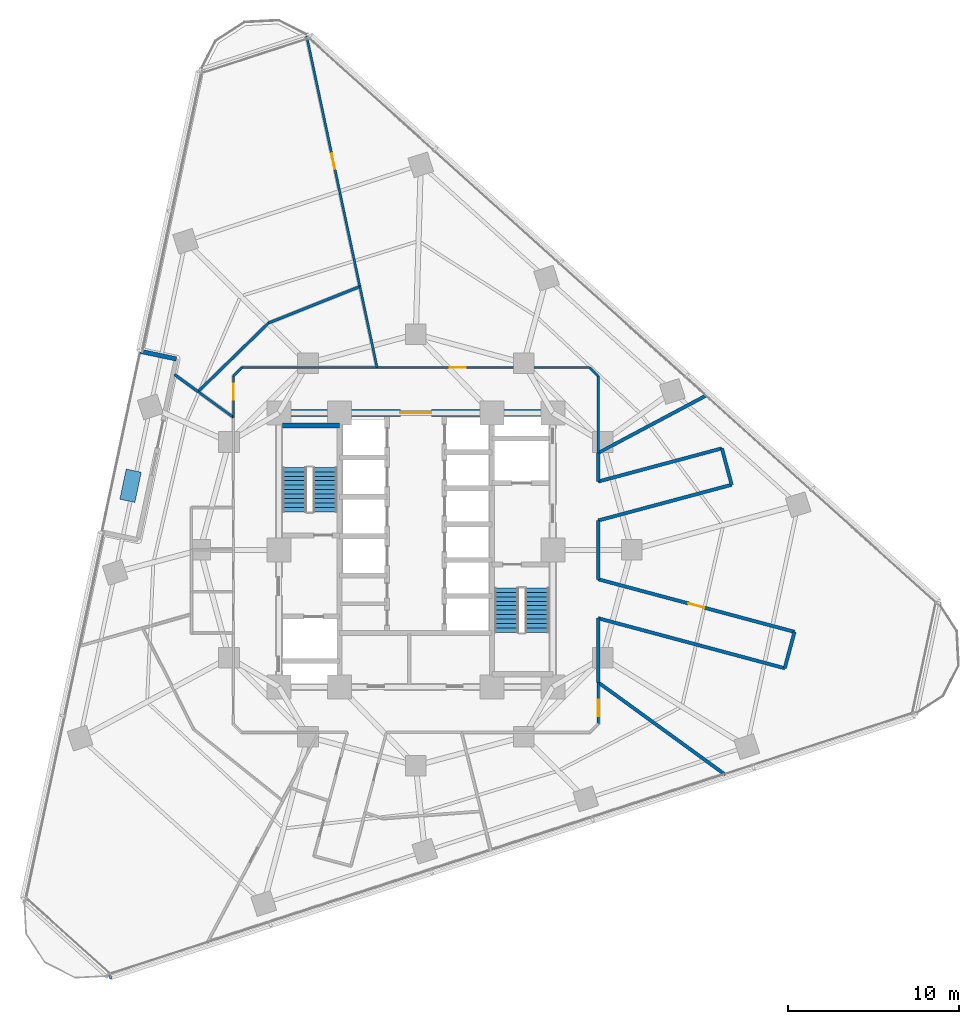
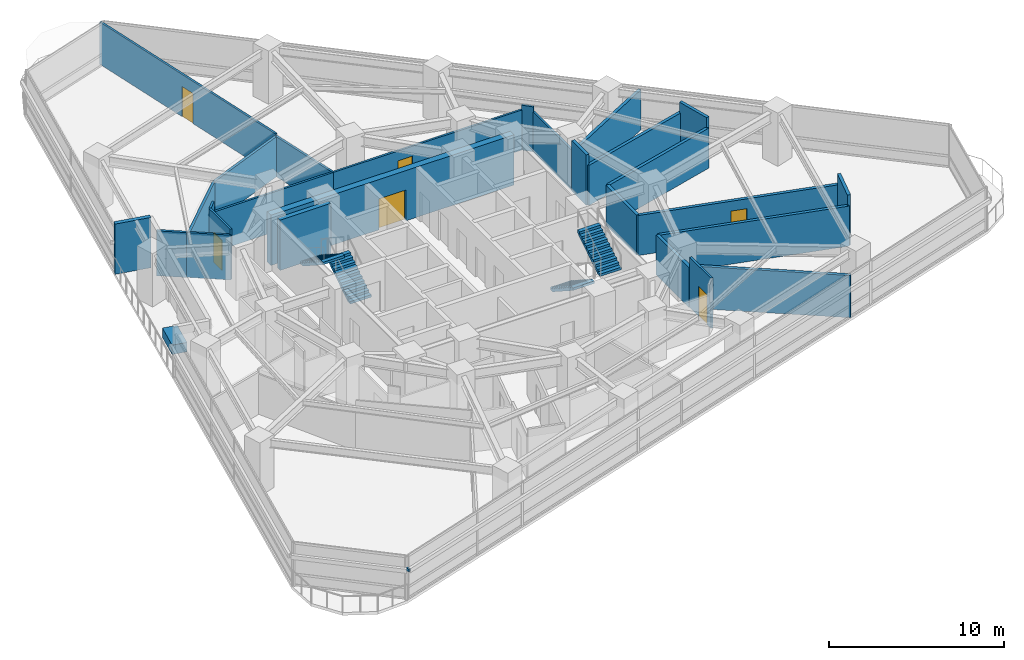
# One storey, part 9 of 14: 27 walls, 6 doors, 4 stair flights, 2 discrete accessories, 6 openings, 2 elements without a shape of their own.
"""IFC4 building model written with IfcOpenShell, lengths in metres."""

from ifc_helpers import new_model, si_unit, direction, frame, frame_2d, origin, origin_2d, place, context, subcontext, project, spatial, polyline, rectangle, outline, extrude, material, layer, layer_set, type_object, element, fill, aggregate, save


model = new_model("IFC4")

# Units and contexts
model_context = context("Model", 3, precision=1e-05, world=origin(), true_north=direction((0.0, 1.0)))
body_context = subcontext(model_context, "Body", "Model", "MODEL_VIEW")
ifc_project = project(units=[si_unit("LENGTHUNIT", "METRE"), si_unit("AREAUNIT", "SQUARE_METRE"), si_unit("VOLUMEUNIT", "CUBIC_METRE"), si_unit("PLANEANGLEUNIT", "RADIAN"), si_unit("MASSUNIT", "GRAM", prefix="KILO")], contexts=[model_context])

# Site, building, storey
site_placement = place(None, origin())
site = spatial("IfcSite", under=ifc_project, at=site_placement, CompositionType="ELEMENT")
building_placement = place(site_placement, origin())
building = spatial("IfcBuilding", under=site, at=building_placement, Name="Terralouvre Media Tower", CompositionType="ELEMENT")
storey_placement = place(building_placement, frame((0.0, 0.0, 97.699951171875)))
storey = spatial("IfcBuildingStorey", under=building, at=storey_placement, Name="L24", CompositionType="ELEMENT", Elevation=97.699951171875)

# Wall
ifc_material_1 = material(Name="Concrete C50/60", Category="concrete")
ifc_layer_1 = layer(ifc_material_1, 0.300048828125, Name="Core Internal Shaft Wall CW-300")
ifc_layer_set_1 = layer_set([ifc_layer_1], Name="Concrete C50/60")
wall_type_1 = type_object("IfcWallType", Name="Core Internal Shaft Wall CW-300", PredefinedType="SHEAR", material=ifc_layer_set_1)
wall_1_placement = place(storey_placement, frame((-7.7900390625, 7.260009765625, 0.0), z_axis=(0.0, 0.0, 1.0), x_axis=(1.0, 0.0, 0.0)))
element("IfcWall", 1, at=wall_1_placement, inside=storey, type_object=wall_type_1, Name="L24 Core Shaft Wall ST1F", PredefinedType="SHEAR", context=body_context, shape_type="SweptSolid", body=[
    extrude(rectangle(XDim=3.340087890625, YDim=0.300048828125, at=frame_2d((1.669921875, 0.0))), origin(), (0.0, 0.0, 1.0), 3.5),
])

# Wall, opening, door
ifc_material_2 = material(Name="Concrete C60/75", Category="concrete")
ifc_layer_2 = layer(ifc_material_2, 0.419921875, Name="Core Reinforced Concrete Shear Wall CW-420")
ifc_layer_set_2 = layer_set([ifc_layer_2], Name="Concrete C60/75")
wall_type_2 = type_object("IfcWallType", Name="Core Reinforced Concrete Shear Wall CW-420", PredefinedType="SHEAR", material=ifc_layer_set_2)
wall_2_placement = place(storey_placement, frame((-8.0, 8.0, 0.0), z_axis=(0.0, 0.0, 1.0), x_axis=(1.0, 0.0, 0.0)))
wall_2 = element("IfcWall", 2, at=wall_2_placement, inside=storey, type_object=wall_type_2, Name="L24 N Core Shear Wall", PredefinedType="SHEAR", context=body_context, shape_type="SweptSolid", body=[
    extrude(rectangle(XDim=16.0, YDim=0.419921875, at=frame_2d((8.0, 0.0))), origin(), (0.0, 0.0, 1.0), 3.5),
])
opening_1_placement = place(wall_2_placement, frame((7.10009765625, 0.0, 0.0)))
opening_1 = element("IfcOpeningElement", 3, at=opening_1_placement, cuts=wall_2, Name="Opening FD-03", PredefinedType="OPENING", context=body_context, shape_type="SweptSolid", body=[
    extrude(rectangle(XDim=1.800048828125, YDim=2.14990234375, at=frame_2d((0.89990234375, 1.074951171875))), frame((0.0, 0.219970703125, 0.0), z_axis=(0.0, -1.0, 0.0), x_axis=(1.0, 0.0, 0.0)), (0.0, 0.0, 1.0), 0.43994140625),
])
ifc_material_3 = material(Name="Galvanised steel fire-resisting leaf", Category="steel")
door_type_1 = type_object("IfcDoorType", Name="Corridor Smoke-Control Double Door FD-03", OperationType="DOUBLE_DOOR_SINGLE_SWING", PredefinedType="DOOR", material=ifc_material_3)
door_1_placement = place(opening_1_placement, origin())
door_1 = element("IfcDoor", 4, at=door_1_placement, inside=storey, type_object=door_type_1, Name="L24 Central Lift Lobby Portal Door", OperationType="DOUBLE_DOOR_SINGLE_SWING", OverallHeight=2.14990234375, OverallWidth=1.800048828125, PredefinedType="DOOR", context=body_context, shape_type="SweptSolid", body=[
    extrude(rectangle(XDim=1.800048828125, YDim=2.14990234375, at=frame_2d((0.89990234375, 1.074951171875))), frame((0.0, 0.02490234375, 0.0), z_axis=(0.0, -1.0, 0.0), x_axis=(1.0, 0.0, 0.0)), (0.0, 0.0, 1.0), 0.050048828125),
])
fill(opening_1, door_1)

# Walls
ifc_material_4 = material(Name="Fire-rated gypsum board drywall partition")
ifc_layer_3 = layer(ifc_material_4, 0.199951171875, Name="Fire-Rated Shaft and Lobby Partition FW-200")
ifc_layer_set_3 = layer_set([ifc_layer_3], Name="Fire-rated gypsum board drywall partition")
wall_type_3 = type_object("IfcWallType", Name="Fire-Rated Shaft and Lobby Partition FW-200", PredefinedType="SOLIDWALL", material=ifc_layer_set_3)
wall_3_placement = place(storey_placement, frame((10.64990234375, -7.738037109375, 0.0), z_axis=(0.0, 0.0, 1.0), x_axis=(0.0, 1.0, 0.0)))
element("IfcWall", 5, at=wall_3_placement, inside=storey, type_object=wall_type_3, Name="L24 Interior Partition 001", PredefinedType="SOLIDWALL", context=body_context, shape_type="SweptSolid", body=[
    extrude(rectangle(XDim=3.74609375, YDim=0.199951171875, at=frame_2d((1.873046875, 0.0))), origin(), (0.0, 0.0, 1.0), 2.78515625),
])
wall_4_placement = place(storey_placement, frame((10.64990234375, -3.991943359375, 0.0), z_axis=(0.0, 0.0, 1.0), x_axis=(0.965906888357, -0.258889712088, 0.0)))
element("IfcWall", 6, at=wall_4_placement, inside=storey, type_object=wall_type_3, Name="L24 Interior Partition 002", PredefinedType="SOLIDWALL", context=body_context, shape_type="SweptSolid", body=[
    extrude(rectangle(XDim=11.279541015625, YDim=0.199951171875, at=frame_2d((5.6396484375, 0.0))), origin(), (0.0, 0.0, 1.0), 2.78515625),
])
wall_5_placement = place(storey_placement, frame((21.544921875, -6.912109375, 0.0), z_axis=(0.0, 0.0, 1.0), x_axis=(0.259105843213, 0.965848933329, 0.0)))
element("IfcWall", 7, at=wall_5_placement, inside=storey, type_object=wall_type_3, Name="L24 Interior Partition 003", PredefinedType="SOLIDWALL", context=body_context, shape_type="SweptSolid", body=[
    extrude(rectangle(XDim=2.2001953125, YDim=0.199951171875, at=frame_2d((1.10009765625, 0.0))), origin(), (0.0, 0.0, 1.0), 3.5),
])

# Wall, opening, door
wall_6_placement = place(storey_placement, frame((22.114990234375, -4.787109375, 0.0), z_axis=(0.0, 0.0, 1.0), x_axis=(-0.965926659449, 0.258815935688, 0.0)))
wall_6 = element("IfcWall", 8, at=wall_6_placement, inside=storey, type_object=wall_type_3, Name="L24 Interior Partition 004", PredefinedType="SOLIDWALL", context=body_context, shape_type="SweptSolid", body=[
    extrude(rectangle(XDim=11.86962890625, YDim=0.199951171875, at=frame_2d((5.934814453125, 0.0))), origin(), (0.0, 0.0, 1.0), 2.78515625),
])
opening_2_placement = place(wall_6_placement, frame((5.459716796875, 0.0, 0.0)))
opening_2 = element("IfcOpeningElement", 9, at=opening_2_placement, cuts=wall_6, Name="Opening FD-02-95X210", PredefinedType="OPENING", context=body_context, shape_type="SweptSolid", body=[
    extrude(rectangle(XDim=0.949951171875, YDim=2.10009765625, at=frame_2d((0.47509765625, 1.050048828125))), frame((0.0, 0.10986328125, 0.0), z_axis=(0.0, -1.0, 0.0), x_axis=(1.0, 0.0, 0.0)), (0.0, 0.0, 1.0), 0.219970703125),
])
ifc_material_5 = material(Name="Galvanised steel fire-resisting leaf", Category="steel")
door_type_2 = type_object("IfcDoorType", Name="Plant and Riser Fire Door FD-02 (950x2100)", OperationType="NOTDEFINED", PredefinedType="DOOR", material=ifc_material_5)
door_2_placement = place(opening_2_placement, origin())
door_2 = element("IfcDoor", 10, at=door_2_placement, inside=storey, type_object=door_type_2, Name="L24 SAN High-Speed Server Room 1 Door", OperationType="SINGLE_SWING_RIGHT", OverallHeight=2.10009765625, OverallWidth=0.949951171875, PredefinedType="DOOR", context=body_context, shape_type="SweptSolid", body=[
    extrude(rectangle(XDim=0.949951171875, YDim=2.10009765625, at=frame_2d((0.47509765625, 1.050048828125))), frame((0.0, 0.02490234375, 0.0), z_axis=(0.0, -1.0, 0.0), x_axis=(1.0, 0.0, 0.0)), (0.0, 0.0, 1.0), 0.050048828125),
])
fill(opening_2, door_2)

# Walls
wall_7_placement = place(storey_placement, frame((10.64990234375, -1.715087890625, 0.0), z_axis=(0.0, 0.0, 1.0), x_axis=(0.0, 1.0, 0.0)))
element("IfcWall", 11, at=wall_7_placement, inside=storey, type_object=wall_type_3, Name="L24 Interior Partition 005", PredefinedType="SOLIDWALL", context=body_context, shape_type="SweptSolid", body=[
    extrude(rectangle(XDim=3.43017578125, YDim=0.199951171875, at=frame_2d((1.715087890625, 0.0))), origin(), (0.0, 0.0, 1.0), 2.78515625),
])
wall_8_placement = place(storey_placement, frame((10.64990234375, 1.715087890625, 0.0), z_axis=(0.0, 0.0, 1.0), x_axis=(0.965943055062, 0.258754737882, 0.0)))
element("IfcWall", 12, at=wall_8_placement, inside=storey, type_object=wall_type_3, Name="L24 Interior Partition 006", PredefinedType="SOLIDWALL", context=body_context, shape_type="SweptSolid", body=[
    extrude(rectangle(XDim=8.069091796875, YDim=0.199951171875, at=frame_2d((4.03466796875, 0.0))), origin(), (0.0, 0.0, 1.0), 2.78515625),
])
wall_9_placement = place(storey_placement, frame((18.444091796875, 3.802978515625, 0.0), z_axis=(0.0, 0.0, 1.0), x_axis=(-0.258691706618, 0.965959937537, 0.0)))
element("IfcWall", 13, at=wall_9_placement, inside=storey, type_object=wall_type_3, Name="L24 Interior Partition 007", PredefinedType="SOLIDWALL", context=body_context, shape_type="SweptSolid", body=[
    extrude(rectangle(XDim=2.199951171875, YDim=0.199951171875, at=frame_2d((1.10009765625, 0.0))), origin(), (0.0, 0.0, 1.0), 3.5),
])
wall_10_placement = place(storey_placement, frame((17.875, 5.927978515625, 0.0), z_axis=(0.0, 0.0, 1.0), x_axis=(-0.965923283659, -0.258828534142, 0.0)))
element("IfcWall", 14, at=wall_10_placement, inside=storey, type_object=wall_type_3, Name="L24 Interior Partition 008", PredefinedType="SOLIDWALL", context=body_context, shape_type="SweptSolid", body=[
    extrude(rectangle(XDim=7.47998046875, YDim=0.199951171875, at=frame_2d((3.739990234375, 0.0))), origin(), (0.0, 0.0, 1.0), 2.78515625),
])
wall_11_placement = place(storey_placement, frame((10.64990234375, 3.991943359375, 0.0), z_axis=(0.0, 0.0, 1.0), x_axis=(0.0, 1.0, 0.0)))
element("IfcWall", 15, at=wall_11_placement, inside=storey, type_object=wall_type_3, Name="L24 Interior Partition 009", PredefinedType="SOLIDWALL", context=body_context, shape_type="SweptSolid", body=[
    extrude(rectangle(XDim=1.671142578125, YDim=0.199951171875, at=frame_2d((0.83544921875, 0.0))), origin(), (0.0, 0.0, 1.0), 3.5),
])
wall_12_placement = place(storey_placement, frame((10.64990234375, -7.738037109375, 0.0), z_axis=(0.0, 0.0, 1.0), x_axis=(0.809037487075, -0.587757045477, 0.0)))
element("IfcWall", 16, at=wall_12_placement, inside=storey, type_object=wall_type_3, Name="L24 Interior Partition 033", PredefinedType="SOLIDWALL", context=body_context, shape_type="SweptSolid", body=[
    extrude(rectangle(XDim=9.174072265625, YDim=0.199951171875, at=frame_2d((4.5869140625, 0.0))), origin(), (0.0, 0.0, 1.0), 2.93505859375),
])
wall_13_placement = place(storey_placement, frame((16.980712890625, 9.029052734375, 0.0), z_axis=(0.0, 0.0, 1.0), x_axis=(-0.882958281143, -0.469451460496, 0.0)))
element("IfcWall", 17, at=wall_13_placement, inside=storey, type_object=wall_type_3, Name="L24 Interior Partition 034", PredefinedType="SOLIDWALL", context=body_context, shape_type="SweptSolid", body=[
    extrude(rectangle(XDim=7.169921875, YDim=0.199951171875, at=frame_2d((3.5849609375, 0.0))), origin(), (0.0, 0.0, 1.0), 2.78515625),
])

# Wall, opening, door
ifc_material_6 = material(Name="Fire-rated gypsum board drywall partition")
ifc_layer_4 = layer(ifc_material_6, 0.135009765625, Name="Newsroom Acoustic Partition PT-135")
ifc_layer_set_4 = layer_set([ifc_layer_4], Name="Fire-rated gypsum board drywall partition")
wall_type_4 = type_object("IfcWallType", Name="Newsroom Acoustic Partition PT-135", PredefinedType="PARTITIONING", material=ifc_layer_set_4)
wall_14_placement = place(storey_placement, frame((10.64990234375, -10.14990234375, 0.0), z_axis=(0.0, 0.0, 1.0), x_axis=(0.0, 1.0, 0.0)))
wall_14 = element("IfcWall", 18, at=wall_14_placement, inside=storey, type_object=wall_type_4, Name="L24 Interior Partition 024", PredefinedType="PARTITIONING", context=body_context, shape_type="SweptSolid", body=[
    extrude(rectangle(XDim=2.411865234375, YDim=0.135009765625, at=frame_2d((1.2060546875, 0.0))), origin(), (0.0, 0.0, 1.0), 3.5),
])
opening_3_placement = place(wall_14_placement, frame((0.441650390625, 0.0, 0.0)))
opening_3 = element("IfcOpeningElement", 19, at=opening_3_placement, cuts=wall_14, Name="Opening ID-02-95X210", PredefinedType="OPENING", context=body_context, shape_type="SweptSolid", body=[
    extrude(rectangle(XDim=0.949951171875, YDim=2.10009765625, at=frame_2d((0.47509765625, 1.050048828125))), frame((0.0, 0.077392578125, 0.0), z_axis=(0.0, -1.0, 0.0), x_axis=(1.0, 0.0, 0.0)), (0.0, 0.0, 1.0), 0.155029296875),
])
ifc_material_7 = material(Name="Engineered hardwood acoustic timber leaf", Category="wood")
door_type_3 = type_object("IfcDoorType", Name="Office and Meeting Room Door ID-02 (950x2100)", OperationType="NOTDEFINED", PredefinedType="DOOR", material=ifc_material_7)
door_3_placement = place(opening_3_placement, origin())
door_3 = element("IfcDoor", 20, at=door_3_placement, inside=storey, type_object=door_type_3, Name="L24 Post Schedule Office 7 Door", OperationType="SINGLE_SWING_LEFT", OverallHeight=2.10009765625, OverallWidth=0.949951171875, PredefinedType="DOOR", context=body_context, shape_type="SweptSolid", body=[
    extrude(rectangle(XDim=0.949951171875, YDim=2.10009765625, at=frame_2d((0.47509765625, 1.050048828125))), frame((0.0, 0.02490234375, 0.0), z_axis=(0.0, -1.0, 0.0), x_axis=(1.0, 0.0, 0.0)), (0.0, 0.0, 1.0), 0.050048828125),
])
fill(opening_3, door_3)

# Walls
wall_15_placement = place(storey_placement, frame((10.64990234375, 5.6630859375, 0.0), z_axis=(0.0, 0.0, 1.0), x_axis=(0.0, 1.0, 0.0)))
element("IfcWall", 21, at=wall_15_placement, inside=storey, type_object=wall_type_4, Name="L24 Interior Partition 025", PredefinedType="PARTITIONING", context=body_context, shape_type="SweptSolid", body=[
    extrude(rectangle(XDim=4.48681640625, YDim=0.135009765625, at=frame_2d((2.243408203125, 0.0))), origin(), (0.0, 0.0, 1.0), 2.78515625),
])
wall_16_placement = place(storey_placement, frame((10.64990234375, 10.14990234375, 0.0), z_axis=(0.0, 0.0, 1.0), x_axis=(-0.707106781187, 0.707106781187, 0.0)))
element("IfcWall", 22, at=wall_16_placement, inside=storey, type_object=wall_type_4, Name="L24 Interior Partition 026", PredefinedType="PARTITIONING", context=body_context, shape_type="SweptSolid", body=[
    extrude(rectangle(XDim=0.70703125, YDim=0.135009765625, at=frame_2d((0.353515625, 0.0))), origin(), (0.0, 0.0, 1.0), 3.125),
])

# Wall, opening, door
wall_17_placement = place(storey_placement, frame((10.14990234375, 10.64990234375, 0.0), z_axis=(0.0, 0.0, 1.0), x_axis=(-1.0, 0.0, 0.0)))
wall_17 = element("IfcWall", 23, at=wall_17_placement, inside=storey, type_object=wall_type_4, Name="L24 Interior Partition 027", PredefinedType="PARTITIONING", context=body_context, shape_type="SweptSolid", body=[
    extrude(rectangle(XDim=12.413818359375, YDim=0.135009765625, at=frame_2d((6.20703125, 0.0))), origin(), (0.0, 0.0, 1.0), 2.78515625),
])
opening_4_placement = place(wall_17_placement, frame((7.2216796875, 0.0, 0.0)))
opening_4 = element("IfcOpeningElement", 24, at=opening_4_placement, cuts=wall_17, Name="Opening ID-02-95X210", PredefinedType="OPENING", context=body_context, shape_type="SweptSolid", body=[
    extrude(rectangle(XDim=0.949951171875, YDim=2.10009765625, at=frame_2d((0.47509765625, 1.050048828125))), frame((0.0, 0.077392578125, 0.0), z_axis=(0.0, -1.0, 0.0), x_axis=(1.0, 0.0, 0.0)), (0.0, 0.0, 1.0), 0.155029296875),
])
door_4_placement = place(opening_4_placement, origin())
door_4 = element("IfcDoor", 25, at=door_4_placement, inside=storey, type_object=door_type_3, Name="L24 Sound Transfer Closet 8 Door", OperationType="SINGLE_SWING_RIGHT", OverallHeight=2.10009765625, OverallWidth=0.949951171875, PredefinedType="DOOR", context=body_context, shape_type="SweptSolid", body=[
    extrude(rectangle(XDim=0.949951171875, YDim=2.10009765625, at=frame_2d((0.47509765625, 1.050048828125))), frame((0.0, 0.02490234375, 0.0), z_axis=(0.0, -1.0, 0.0), x_axis=(1.0, 0.0, 0.0)), (0.0, 0.0, 1.0), 0.050048828125),
])
fill(opening_4, door_4)

# Walls
wall_18_placement = place(storey_placement, frame((-2.263916015625, 10.64990234375, 0.0), z_axis=(0.0, 0.0, 1.0), x_axis=(-1.0, 0.0, 0.0)))
element("IfcWall", 26, at=wall_18_placement, inside=storey, type_object=wall_type_4, Name="L24 Interior Partition 028", PredefinedType="PARTITIONING", context=body_context, shape_type="SweptSolid", body=[
    extrude(rectangle(XDim=7.885986328125, YDim=0.135009765625, at=frame_2d((3.94287109375, 0.0))), origin(), (0.0, 0.0, 1.0), 2.78515625),
])
wall_19_placement = place(storey_placement, frame((-10.14990234375, 10.64990234375, 0.0), z_axis=(0.0, 0.0, 1.0), x_axis=(-0.707106781187, -0.707106781187, 0.0)))
element("IfcWall", 27, at=wall_19_placement, inside=storey, type_object=wall_type_4, Name="L24 Interior Partition 029", PredefinedType="PARTITIONING", context=body_context, shape_type="SweptSolid", body=[
    extrude(rectangle(XDim=0.70703125, YDim=0.135009765625, at=frame_2d((0.353515625, 0.0))), origin(), (0.0, 0.0, 1.0), 3.5),
])

# Wall, opening, door
wall_20_placement = place(storey_placement, frame((-10.64990234375, 10.14990234375, 0.0), z_axis=(0.0, 0.0, 1.0), x_axis=(0.0, -1.0, 0.0)))
wall_20 = element("IfcWall", 28, at=wall_20_placement, inside=storey, type_object=wall_type_4, Name="L24 Interior Partition 030", PredefinedType="PARTITIONING", context=body_context, shape_type="SweptSolid", body=[
    extrude(rectangle(XDim=2.411865234375, YDim=0.135009765625, at=frame_2d((1.2060546875, 0.0))), origin(), (0.0, 0.0, 1.0), 3.5),
])
opening_5_placement = place(wall_20_placement, frame((0.441650390625, 0.0, 0.0)))
opening_5 = element("IfcOpeningElement", 29, at=opening_5_placement, cuts=wall_20, Name="Opening ID-02-95X210", PredefinedType="OPENING", context=body_context, shape_type="SweptSolid", body=[
    extrude(rectangle(XDim=0.949951171875, YDim=2.10009765625, at=frame_2d((0.47509765625, 1.050048828125))), frame((0.0, 0.077392578125, 0.0), z_axis=(0.0, -1.0, 0.0), x_axis=(1.0, 0.0, 0.0)), (0.0, 0.0, 1.0), 0.155029296875),
])
door_5_placement = place(opening_5_placement, origin())
door_5 = element("IfcDoor", 30, at=door_5_placement, inside=storey, type_object=door_type_3, Name="L24 Client Cut Review Theatre 10 Door", OperationType="SINGLE_SWING_LEFT", OverallHeight=2.10009765625, OverallWidth=0.949951171875, PredefinedType="DOOR", context=body_context, shape_type="SweptSolid", body=[
    extrude(rectangle(XDim=0.949951171875, YDim=2.10009765625, at=frame_2d((0.47509765625, 1.050048828125))), frame((0.0, 0.02490234375, 0.0), z_axis=(0.0, -1.0, 0.0), x_axis=(1.0, 0.0, 0.0)), (0.0, 0.0, 1.0), 0.050048828125),
])
fill(opening_5, door_5)

wall_21_placement = place(storey_placement, frame((-6.380615234375, 30.0205078125, 0.0), z_axis=(0.0, 0.0, 1.0), x_axis=(0.207886847462, -0.978152881022, 0.0)))
wall_21 = element("IfcWall", 31, at=wall_21_placement, inside=storey, type_object=wall_type_4, Name="L24 Interior Partition 053", PredefinedType="PARTITIONING", context=body_context, shape_type="SweptSolid", body=[
    extrude(rectangle(XDim=14.967529296875, YDim=0.135009765625, at=frame_2d((7.48388671875, 0.0))), origin(), (0.0, 0.0, 1.0), 2.93505859375),
])
opening_6_placement = place(wall_21_placement, frame((7.023681640625, 0.0, 0.0)))
opening_6 = element("IfcOpeningElement", 32, at=opening_6_placement, cuts=wall_21, Name="Opening ID-03-92X210", PredefinedType="OPENING", context=body_context, shape_type="SweptSolid", body=[
    extrude(rectangle(XDim=0.919921875, YDim=2.10009765625, at=frame_2d((0.4599609375, 1.050048828125))), frame((0.0, 0.077392578125, 0.0), z_axis=(0.0, -1.0, 0.0), x_axis=(1.0, 0.0, 0.0)), (0.0, 0.0, 1.0), 0.155029296875),
])
ifc_material_8 = material(Name="Engineered hardwood acoustic timber leaf", Category="wood")
door_type_4 = type_object("IfcDoorType", Name="Accessible Restroom and Suite Door ID-03 (920x2100)", OperationType="NOTDEFINED", PredefinedType="DOOR", material=ifc_material_8)
door_6_placement = place(opening_6_placement, origin())
door_6 = element("IfcDoor", 33, at=door_6_placement, inside=storey, type_object=door_type_4, Name="L24 Dolby Preview Screening Cinema 9 Door", OperationType="SINGLE_SWING_LEFT", OverallHeight=2.10009765625, OverallWidth=0.919921875, PredefinedType="DOOR", context=body_context, shape_type="SweptSolid", body=[
    extrude(rectangle(XDim=0.919921875, YDim=2.10009765625, at=frame_2d((0.4599609375, 1.050048828125))), frame((0.0, 0.02490234375, 0.0), z_axis=(0.0, -1.0, 0.0), x_axis=(1.0, 0.0, 0.0)), (0.0, 0.0, 1.0), 0.050048828125),
])
fill(opening_6, door_6)

# Walls
wall_22_placement = place(storey_placement, frame((-3.26904296875, 15.3798828125, 0.0), z_axis=(0.0, 0.0, 1.0), x_axis=(0.207859963491, -0.978158594287, 0.0)))
element("IfcWall", 34, at=wall_22_placement, inside=storey, type_object=wall_type_4, Name="L24 Interior Partition 054", PredefinedType="PARTITIONING", context=body_context, shape_type="SweptSolid", body=[
    extrude(rectangle(XDim=4.835693359375, YDim=0.135009765625, at=frame_2d((2.41796875, 0.0))), origin(), (0.0, 0.0, 1.0), 2.78515625),
])
wall_23_placement = place(storey_placement, frame((-12.720947265625, 9.241943359375, 0.0), z_axis=(0.0, 0.0, 1.0), x_axis=(0.80916485127, -0.58758169089, 0.0)))
element("IfcWall", 35, at=wall_23_placement, inside=storey, type_object=wall_type_4, Name="L24 Interior Partition 058", PredefinedType="PARTITIONING", context=body_context, shape_type="SweptSolid", body=[
    extrude(rectangle(XDim=2.5595703125, YDim=0.135009765625, at=frame_2d((1.27978515625, 0.0))), origin(), (0.0, 0.0, 1.0), 3.125),
])
ifc_material_9 = material(Name="Kiln-fired architectural terracotta rainscreen cladding", Category="masonry")
ifc_layer_5 = layer(ifc_material_9, 0.260009765625, Name="Recessed Sky-Garden Acoustic Wall EW-SG260")
ifc_layer_set_5 = layer_set([ifc_layer_5], Name="Kiln-fired architectural terracotta rainscreen cladding")
wall_type_5 = type_object("IfcWallType", Name="Recessed Sky-Garden Acoustic Wall EW-SG260", PredefinedType="SOLIDWALL", material=ifc_layer_set_5)
wall_24_placement = place(storey_placement, frame((-16.092041015625, 11.59912109375, 0.0), z_axis=(0.0, 0.0, 1.0), x_axis=(0.978146728319, -0.207915795165, 0.0)))
element("IfcWall", 36, at=wall_24_placement, inside=storey, type_object=wall_type_5, Name="L24 SG Pocket Left Cheek Wall", PredefinedType="SOLIDWALL", context=body_context, shape_type="SweptSolid", body=[
    extrude(rectangle(XDim=2.14990234375, YDim=0.260009765625, at=frame_2d((1.074951171875, 0.0))), origin(), (0.0, 0.0, 1.0), 3.5),
])
ifc_material_10 = material(Name="Fire-rated gypsum board drywall partition")
ifc_layer_6 = layer(ifc_material_10, 0.159912109375, Name="Studio Acoustic Rated Partition PT-160")
ifc_layer_set_6 = layer_set([ifc_layer_6], Name="Fire-rated gypsum board drywall partition")
wall_type_6 = type_object("IfcWallType", Name="Studio Acoustic Rated Partition PT-160", PredefinedType="PARTITIONING", material=ifc_layer_set_6)
wall_25_placement = place(storey_placement, frame((-12.720947265625, 9.241943359375, 0.0), z_axis=(0.0, 0.0, 1.0), x_axis=(0.716351016203, 0.697740081682, 0.0)))
element("IfcWall", 37, at=wall_25_placement, inside=storey, type_object=wall_type_6, Name="L24 Interior Partition 055", PredefinedType="PARTITIONING", context=body_context, shape_type="SweptSolid", body=[
    extrude(rectangle(XDim=5.745849609375, YDim=0.159912109375, at=frame_2d((2.873046875, 0.0))), origin(), (0.0, 0.0, 1.0), 2.78515625),
])
wall_26_placement = place(storey_placement, frame((-8.60498046875, 13.2509765625, 0.0), z_axis=(0.0, 0.0, 1.0), x_axis=(0.928804577443, 0.370569908277, 0.0)))
element("IfcWall", 38, at=wall_26_placement, inside=storey, type_object=wall_type_6, Name="L24 Interior Partition 056", PredefinedType="PARTITIONING", context=body_context, shape_type="SweptSolid", body=[
    extrude(rectangle(XDim=5.744873046875, YDim=0.159912109375, at=frame_2d((2.87255859375, 0.0))), origin(), (0.0, 0.0, 1.0), 2.78515625),
])
wall_27_placement = place(storey_placement, frame((-14.10009765625, 10.24462890625, 0.0), z_axis=(0.0, 0.0, 1.0), x_axis=(0.808828948323, -0.588043988452, 0.0)))
element("IfcWall", 39, at=wall_27_placement, inside=storey, type_object=wall_type_6, Name="L24 Interior Partition 057", PredefinedType="PARTITIONING", context=body_context, shape_type="SweptSolid", body=[
    extrude(rectangle(XDim=1.705078125, YDim=0.159912109375, at=frame_2d((0.8525390625, 0.0))), origin(), (0.0, 0.0, 1.0), 3.125),
])

# Stair, stair flights
ifc_material_11 = material(Name="Concrete C45/55", Category="concrete")
stair_type_1 = type_object("IfcStairType", Name="Dogleg Stair Assembly ST-01", PredefinedType="HALF_TURN_STAIR", material=ifc_material_11)
stair_1_placement = place(storey_placement, origin())
stair_1 = element("IfcStair", 40, at=stair_1_placement, inside=storey, type_object=stair_type_1, Name="L24 Core Pressurised Exit Stair ST-01", PredefinedType="HALF_TURN_STAIR")
ifc_material_12 = material(Name="Concrete C45/55", Category="concrete")
stair_flight_type = type_object("IfcStairFlightType", Name="Reinforced Concrete Stair Flight SF-RC1", PredefinedType="STRAIGHT", material=ifc_material_12)
stair_flight_1_placement = place(storey_placement, frame((-5.300048828125, 2.219970703125, 0.0), z_axis=(0.0, 0.0, 1.0), x_axis=(0.0, 1.0, 0.0)))
stair_flight_1 = element("IfcStairFlight", 41, at=stair_flight_1_placement, type_object=stair_flight_type, Name="ST-01 flight 1", NumberOfRisers=11, NumberOfTreads=10, PredefinedType="STRAIGHT", RiserHeight=0.168181818, TreadLength=0.26, context=body_context, shape_type="SweptSolid", body=[
    extrude(outline(polyline([(0.0, 0.0), (0.0, 0.168212890625), (0.260009765625, 0.168212890625), (0.260009765625, 0.33642578125), (0.52001953125, 0.33642578125), (0.52001953125, 0.504638671875), (0.780029296875, 0.504638671875), (0.780029296875, 0.672607421875), (1.0400390625, 0.672607421875), (1.0400390625, 0.8408203125), (1.300048828125, 0.8408203125), (1.300048828125, 1.009033203125), (1.56005859375, 1.009033203125), (1.56005859375, 1.17724609375), (1.820068359375, 1.17724609375), (1.820068359375, 1.345458984375), (2.080078125, 1.345458984375), (2.080078125, 1.513671875), (2.340087890625, 1.513671875), (2.340087890625, 1.681884765625), (2.60009765625, 1.681884765625), (2.60009765625, 1.85009765625), (2.60009765625, 1.503173828125), (0.27587890625, 0.0), (0.0, 0.0)])), frame((0.0, 0.699951171875, 0.0), z_axis=(0.0, -1.0, 0.0), x_axis=(1.0, 0.0, 0.0)), (0.0, 0.0, 1.0), 1.39990234375),
])
stair_flight_2_placement = place(storey_placement, frame((-7.080078125, 4.820068359375, 1.85009765625), z_axis=(0.0, 0.0, 1.0), x_axis=(0.0, -1.0, 0.0)))
stair_flight_2 = element("IfcStairFlight", 42, at=stair_flight_2_placement, type_object=stair_flight_type, Name="ST-01 flight 2", NumberOfRisers=11, NumberOfTreads=10, PredefinedType="STRAIGHT", RiserHeight=0.168181818, TreadLength=0.26, context=body_context, shape_type="SweptSolid", body=[
    extrude(outline(polyline([(0.0, 0.0), (0.0, 0.168212890625), (0.260009765625, 0.168212890625), (0.260009765625, 0.33642578125), (0.52001953125, 0.33642578125), (0.52001953125, 0.504638671875), (0.780029296875, 0.504638671875), (0.780029296875, 0.672607421875), (1.0400390625, 0.672607421875), (1.0400390625, 0.8408203125), (1.300048828125, 0.8408203125), (1.300048828125, 1.009033203125), (1.56005859375, 1.009033203125), (1.56005859375, 1.17724609375), (1.820068359375, 1.17724609375), (1.820068359375, 1.345458984375), (2.080078125, 1.345458984375), (2.080078125, 1.513671875), (2.340087890625, 1.513671875), (2.340087890625, 1.681884765625), (2.60009765625, 1.681884765625), (2.60009765625, 1.85009765625), (2.60009765625, 1.503173828125), (0.27587890625, 0.0), (0.0, 0.0)])), frame((0.0, 0.699951171875, 0.0), z_axis=(0.0, -1.0, 0.0), x_axis=(1.0, 0.0, 0.0)), (0.0, 0.0, 1.0), 1.39990234375),
])
aggregate(stair_1, [stair_flight_1, stair_flight_2])

ifc_material_13 = material(Name="Concrete C45/55", Category="concrete")
stair_type_2 = type_object("IfcStairType", Name="Dogleg Stair Assembly ST-02", PredefinedType="HALF_TURN_STAIR", material=ifc_material_13)
stair_2_placement = place(storey_placement, origin())
stair_2 = element("IfcStair", 43, at=stair_2_placement, inside=storey, type_object=stair_type_2, Name="L24 Core Pressurised Exit Stair ST-02", PredefinedType="HALF_TURN_STAIR")
stair_flight_3_placement = place(storey_placement, frame((5.300048828125, -2.219970703125, 0.0), z_axis=(0.0, 0.0, 1.0), x_axis=(0.0, -1.0, 0.0)))
stair_flight_3 = element("IfcStairFlight", 44, at=stair_flight_3_placement, type_object=stair_flight_type, Name="ST-02 flight 1", NumberOfRisers=11, NumberOfTreads=10, PredefinedType="STRAIGHT", RiserHeight=0.168181818, TreadLength=0.26, context=body_context, shape_type="SweptSolid", body=[
    extrude(outline(polyline([(0.0, 0.0), (0.0, 0.168212890625), (0.260009765625, 0.168212890625), (0.260009765625, 0.33642578125), (0.52001953125, 0.33642578125), (0.52001953125, 0.504638671875), (0.780029296875, 0.504638671875), (0.780029296875, 0.672607421875), (1.0400390625, 0.672607421875), (1.0400390625, 0.8408203125), (1.300048828125, 0.8408203125), (1.300048828125, 1.009033203125), (1.56005859375, 1.009033203125), (1.56005859375, 1.17724609375), (1.820068359375, 1.17724609375), (1.820068359375, 1.345458984375), (2.080078125, 1.345458984375), (2.080078125, 1.513671875), (2.340087890625, 1.513671875), (2.340087890625, 1.681884765625), (2.60009765625, 1.681884765625), (2.60009765625, 1.85009765625), (2.60009765625, 1.503173828125), (0.27587890625, 0.0), (0.0, 0.0)])), frame((0.0, 0.699951171875, 0.0), z_axis=(0.0, -1.0, 0.0), x_axis=(1.0, 0.0, 0.0)), (0.0, 0.0, 1.0), 1.39990234375),
])
stair_flight_4_placement = place(storey_placement, frame((7.080078125, -4.820068359375, 1.85009765625), z_axis=(0.0, 0.0, 1.0), x_axis=(0.0, 1.0, 0.0)))
stair_flight_4 = element("IfcStairFlight", 45, at=stair_flight_4_placement, type_object=stair_flight_type, Name="ST-02 flight 2", NumberOfRisers=11, NumberOfTreads=10, PredefinedType="STRAIGHT", RiserHeight=0.168181818, TreadLength=0.26, context=body_context, shape_type="SweptSolid", body=[
    extrude(outline(polyline([(0.0, 0.0), (0.0, 0.168212890625), (0.260009765625, 0.168212890625), (0.260009765625, 0.33642578125), (0.52001953125, 0.33642578125), (0.52001953125, 0.504638671875), (0.780029296875, 0.504638671875), (0.780029296875, 0.672607421875), (1.0400390625, 0.672607421875), (1.0400390625, 0.8408203125), (1.300048828125, 0.8408203125), (1.300048828125, 1.009033203125), (1.56005859375, 1.009033203125), (1.56005859375, 1.17724609375), (1.820068359375, 1.17724609375), (1.820068359375, 1.345458984375), (2.080078125, 1.345458984375), (2.080078125, 1.513671875), (2.340087890625, 1.513671875), (2.340087890625, 1.681884765625), (2.60009765625, 1.681884765625), (2.60009765625, 1.85009765625), (2.60009765625, 1.503173828125), (0.27587890625, 0.0), (0.0, 0.0)])), frame((0.0, 0.699951171875, 0.0), z_axis=(0.0, -1.0, 0.0), x_axis=(1.0, 0.0, 0.0)), (0.0, 0.0, 1.0), 1.39990234375),
])
aggregate(stair_2, [stair_flight_3, stair_flight_4])

# Discrete accessories
ifc_material_14 = material(Name="Anodised extruded aluminium 6063-T6", Category="aluminium")
discrete_accessory_type_1 = type_object("IfcDiscreteAccessoryType", Name="Mullion Stand-Off Baguette Fixing Bracket BK-01", PredefinedType="BRACKET", material=ifc_material_14)
discrete_accessory_1_placement = place(storey_placement, frame((-17.852783203125, -24.928955078125, 2.07421875), z_axis=(0.0, 0.0, 1.0), x_axis=(0.951056509451, 0.309017015439, 0.0)))
element("IfcDiscreteAccessory", 46, at=discrete_accessory_1_placement, inside=storey, type_object=discrete_accessory_type_1, Name="CW-L24-F0 Baguette Outrigger Bracket 1.01", PredefinedType="BRACKET", context=body_context, shape_type="SweptSolid", body=[
    extrude(rectangle(XDim=0.139892578125, YDim=0.239990234375, at=origin_2d()), origin(), (0.0, 0.0, 1.0), 0.179931640625),
])
ifc_material_15 = material(Name="Kiln-fired architectural terracotta rainscreen cladding", Category="masonry")
discrete_accessory_type_2 = type_object("IfcDiscreteAccessoryType", Name="Planted Tropical Garden Bed Planter PLT-01", PredefinedType="USERDEFINED", material=ifc_material_15)
discrete_accessory_2_placement = place(storey_placement, frame((-16.662353515625, 3.74609375, -0.0048828125), z_axis=(0.0, 0.0, 1.0), x_axis=(-0.207911905429, -0.978147555117, 0.0)))
element("IfcDiscreteAccessory", 47, at=discrete_accessory_2_placement, inside=storey, type_object=discrete_accessory_type_2, Name="L24 SG Planted Garden Bed Planter", ObjectType="PLANTER", PredefinedType="USERDEFINED", context=body_context, shape_type="SweptSolid", body=[
    extrude(rectangle(XDim=1.800048828125, YDim=0.89990234375, at=origin_2d()), origin(), (0.0, 0.0, 1.0), 0.64990234375),
])

save(model, "model.ifc")
